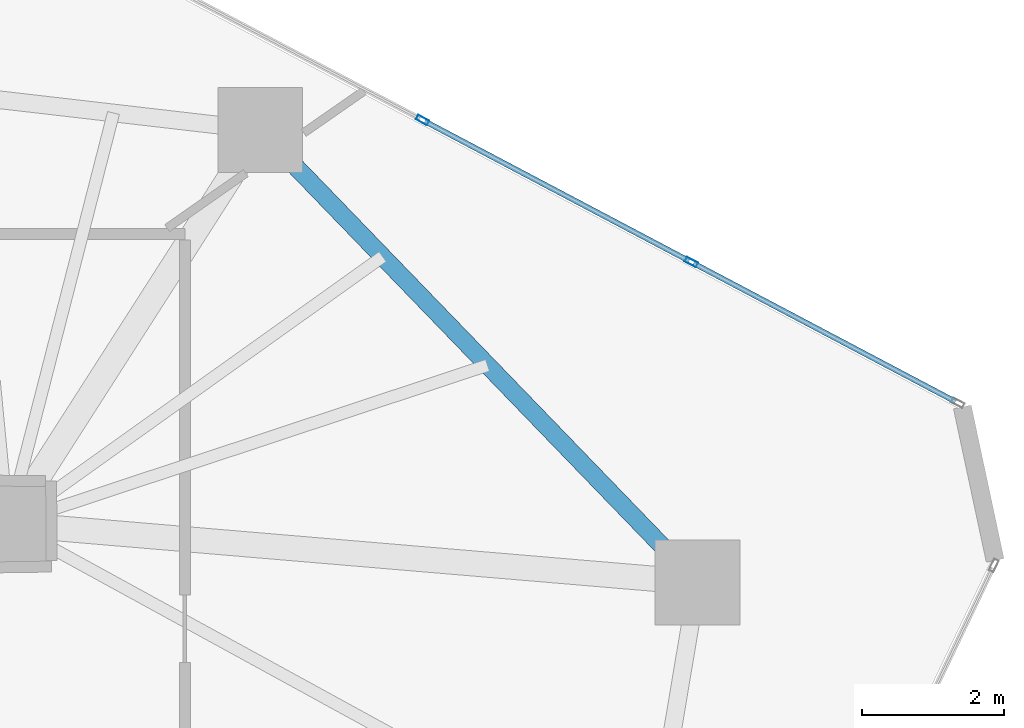
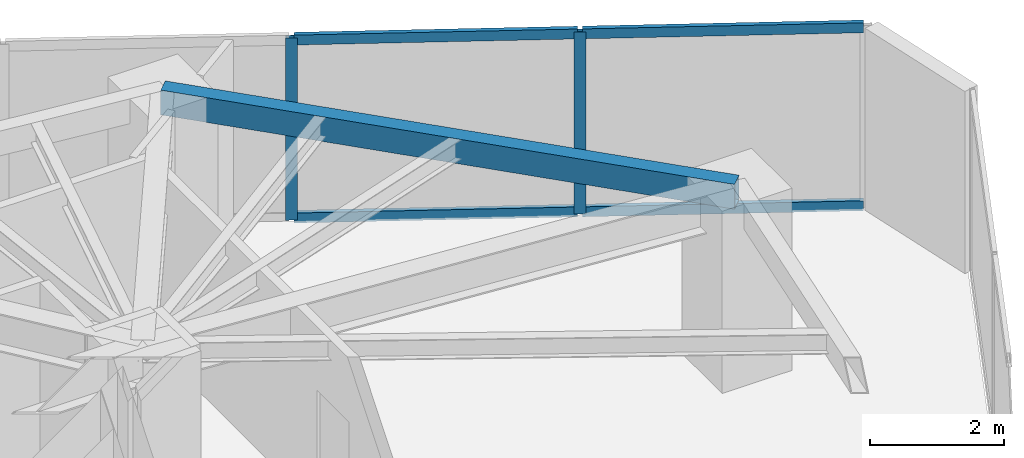
# One storey, part 15 of 22: 6 members, 1 beam, 1 element without a shape of its own.
"""IFC4 building model written with IfcOpenShell, lengths in metres."""

from ifc_helpers import new_model, si_unit, direction, frame, origin, origin_2d, place, context, subcontext, project, spatial, hollow_rectangle, extrude, source, transform, mapped, material, layer, layer_set, material_profile, profile_set, type_object, type_shapes, element, aggregate, save


model = new_model("IFC4")

# Units and contexts
model_context = context("Model", 3, precision=1e-05, world=origin(), true_north=direction((0.0, 1.0)))
body_context = subcontext(model_context, "Body", "Model", "MODEL_VIEW")
ifc_project = project(units=[si_unit("LENGTHUNIT", "METRE"), si_unit("AREAUNIT", "SQUARE_METRE"), si_unit("VOLUMEUNIT", "CUBIC_METRE"), si_unit("PLANEANGLEUNIT", "RADIAN"), si_unit("MASSUNIT", "GRAM", prefix="KILO")], contexts=[model_context])

# Site, building, storey
site_placement = place(None, origin())
site = spatial("IfcSite", under=ifc_project, at=site_placement, CompositionType="ELEMENT")
building_placement = place(site_placement, origin())
building = spatial("IfcBuilding", under=site, at=building_placement, Name="Talar Marvaseh", CompositionType="ELEMENT")
storey_placement = place(building_placement, frame((0.0, 0.0, 150.60009765625)))
storey = spatial("IfcBuildingStorey", under=building, at=storey_placement, Name="L39", CompositionType="ELEMENT", Elevation=150.60009765625)

# Beam
ifc_material_1 = material(Name="Steel S355", Category="steel")
ifc_material_profile_1 = material_profile(ifc_material_1, hollow_rectangle(XDim=0.25, YDim=0.449951171875, WallThickness=0.01611328125, at=origin_2d()), Name="RHS450x250x16")
ifc_profile_set_1 = profile_set([ifc_material_profile_1], Name="Steel S355")
beam_type = type_object("IfcBeamType", Name="Zone 2 Perimeter Spandrel Beam RHS450x250x16", PredefinedType="SPANDREL", material=ifc_profile_set_1)
beam_placement = place(storey_placement, frame((36.865966796875, 42.470947265625, 3.0849609375), z_axis=(0.694796856243, -0.719206040405, 0.0), x_axis=(0.719206040405, 0.694796856243, 0.0)))
element("IfcBeam", 1, at=beam_placement, inside=storey, type_object=beam_type, Name="L39 Zone 2 Perimeter Spandrel Beam RHS450x250x16", PredefinedType="SPANDREL", context=body_context, shape_type="SweptSolid", body=[
    extrude(hollow_rectangle(XDim=0.25, YDim=0.449951171875, WallThickness=0.01611328125, at=origin_2d()), origin(), (0.0, 0.0, 1.0), 8.891845703125),
])

# Curtain wall, members
ifc_material_2 = material(Name="Architectural Aluminium", Category="aluminium")
ifc_layer = layer(ifc_material_2, 0.199951171875)
ifc_layer_set = layer_set([ifc_layer], Name="Architectural Aluminium")
curtain_wall_type = type_object("IfcCurtainWallType", Name="Unitised Acoustic Library Curtain Wall Z2", PredefinedType="NOTDEFINED", material=ifc_layer_set)
curtain_wall_placement = place(storey_placement, origin())
curtain_wall = element("IfcCurtainWall", 2, at=curtain_wall_placement, inside=storey, type_object=curtain_wall_type, Name="L39 Unitised Acoustic Library Curtain Wall Z2", PredefinedType="NOTDEFINED")
ifc_material_profile_2 = material_profile(ifc_material_2, hollow_rectangle(XDim=0.074951171875, YDim=0.179931640625, WallThickness=0.0048828125, at=origin_2d()), Name="RHS180x75x5")
ifc_profile_set_2 = profile_set([ifc_material_profile_2], Name="Architectural Aluminium")
member_type_1 = type_object("IfcMemberType", Name="Unitised Curtain Wall Transom RHS180x75x5", PredefinedType="USERDEFINED", material=ifc_profile_set_2)
shared_shape_1 = source(origin(), body_context, "Body", "SweptSolid", [
    extrude(hollow_rectangle(XDim=0.074951171875, YDim=0.179931640625, WallThickness=0.0048828125, at=origin_2d()), origin(), (0.0, 0.0, 1.0), 4.222900390625),
])
member_1_placement = place(storey_placement, frame((39.19189453125, 42.59326171875, 0.037353515625), z_axis=(0.884213657709, -0.467082655985, 0.0), x_axis=(0.467082655985, 0.884213657709, 0.0)))
member_1 = element("IfcMember", 3, at=member_1_placement, type_object=member_type_1, Name="CW-Z2 transom 3.1", ObjectType="TRANSOM", PredefinedType="USERDEFINED", context=body_context, shape_type="MappedRepresentation", body=[
    mapped(shared_shape_1, transform((0.0, 0.0, 0.0), x_axis=(1.0, 0.0, 0.0), y_axis=(0.0, 1.0, 0.0), z_axis=(0.0, 0.0, 1.0), scale=1.0)),
])
member_2_placement = place(storey_placement, frame((39.19189453125, 42.59326171875, 3.2724609375), z_axis=(0.884213657709, -0.467082655985, 0.0), x_axis=(0.467082655985, 0.884213657709, 0.0)))
member_2 = element("IfcMember", 4, at=member_2_placement, type_object=member_type_1, Name="CW-Z2 transom 3.2", ObjectType="TRANSOM", PredefinedType="USERDEFINED", context=body_context, shape_type="MappedRepresentation", body=[
    mapped(shared_shape_1, transform((0.0, 0.0, 0.0), x_axis=(1.0, 0.0, 0.0), y_axis=(0.0, 1.0, 0.0), z_axis=(0.0, 0.0, 1.0), scale=1.0)),
])
shared_shape_2 = source(origin(), body_context, "Body", "SweptSolid", [
    extrude(hollow_rectangle(XDim=0.074951171875, YDim=0.179931640625, WallThickness=0.0048828125, at=origin_2d()), origin(), (0.0, 0.0, 1.0), 4.185546875),
])
type_shapes(member_type_1, [shared_shape_1, shared_shape_2])
member_3_placement = place(storey_placement, frame((42.991943359375, 40.585693359375, 0.037353515625), z_axis=(0.884230201059, -0.467051337152, 0.0), x_axis=(0.467051337152, 0.884230201059, 0.0)))
member_3 = element("IfcMember", 5, at=member_3_placement, type_object=member_type_1, Name="CW-Z2 transom 4.1", ObjectType="TRANSOM", PredefinedType="USERDEFINED", context=body_context, shape_type="MappedRepresentation", body=[
    mapped(shared_shape_2, transform((0.0, 0.0, 0.0), x_axis=(1.0, 0.0, 0.0), y_axis=(0.0, 1.0, 0.0), z_axis=(0.0, 0.0, 1.0), scale=1.0)),
])
member_4_placement = place(storey_placement, frame((42.991943359375, 40.585693359375, 3.2724609375), z_axis=(0.884230201059, -0.467051337152, 0.0), x_axis=(0.467051337152, 0.884230201059, 0.0)))
member_4 = element("IfcMember", 6, at=member_4_placement, type_object=member_type_1, Name="CW-Z2 transom 4.2", ObjectType="TRANSOM", PredefinedType="USERDEFINED", context=body_context, shape_type="MappedRepresentation", body=[
    mapped(shared_shape_2, transform((0.0, 0.0, 0.0), x_axis=(1.0, 0.0, 0.0), y_axis=(0.0, 1.0, 0.0), z_axis=(0.0, 0.0, 1.0), scale=1.0)),
])
ifc_material_profile_3 = material_profile(ifc_material_2, hollow_rectangle(XDim=0.074951171875, YDim=0.179931640625, WallThickness=0.0048828125, at=origin_2d()), Name="RHS180x75x5")
ifc_profile_set_3 = profile_set([ifc_material_profile_3], Name="Architectural Aluminium")
member_type_2 = type_object("IfcMemberType", Name="Unitised Curtain Wall Standard Mullion RHS180x75x5", PredefinedType="MULLION", material=ifc_profile_set_3)
shared_shape_3 = source(origin(), body_context, "Body", "SweptSolid", [
    extrude(hollow_rectangle(XDim=0.074951171875, YDim=0.179931640625, WallThickness=0.0048828125, at=origin_2d()), origin(), (0.0, 0.0, 1.0), 3.309814453125),
])
type_shapes(member_type_2, [shared_shape_3])
member_5_placement = place(storey_placement, frame((39.15869140625, 42.61083984375, 0.0), z_axis=(0.0, 0.0, 1.0), x_axis=(0.467097780164, 0.88420566825, 0.0)))
member_5 = element("IfcMember", 7, at=member_5_placement, type_object=member_type_2, Name="CW-Z2 mullion 3", PredefinedType="MULLION", context=body_context, shape_type="MappedRepresentation", body=[
    mapped(shared_shape_3, transform((0.0, 0.0, 0.0), x_axis=(1.0, 0.0, 0.0), y_axis=(0.0, 1.0, 0.0), z_axis=(0.0, 0.0, 1.0), scale=1.0)),
])
member_6_placement = place(storey_placement, frame((42.958984375, 40.603271484375, 0.0), z_axis=(0.0, 0.0, 1.0), x_axis=(0.467097780164, 0.88420566825, 0.0)))
member_6 = element("IfcMember", 8, at=member_6_placement, type_object=member_type_2, Name="CW-Z2 mullion 4", PredefinedType="MULLION", context=body_context, shape_type="MappedRepresentation", body=[
    mapped(shared_shape_3, transform((0.0, 0.0, 0.0), x_axis=(1.0, 0.0, 0.0), y_axis=(0.0, 1.0, 0.0), z_axis=(0.0, 0.0, 1.0), scale=1.0)),
])
aggregate(curtain_wall, [member_5, member_6, member_1, member_2, member_3, member_4])

save(model, "model.ifc")
